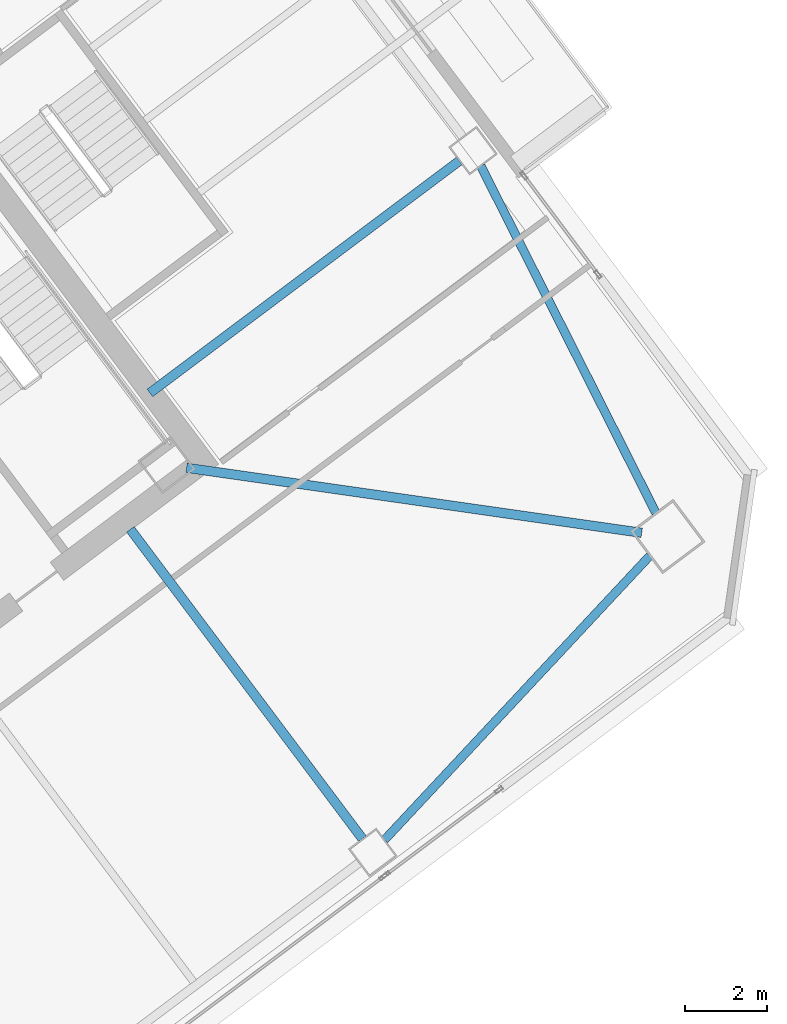
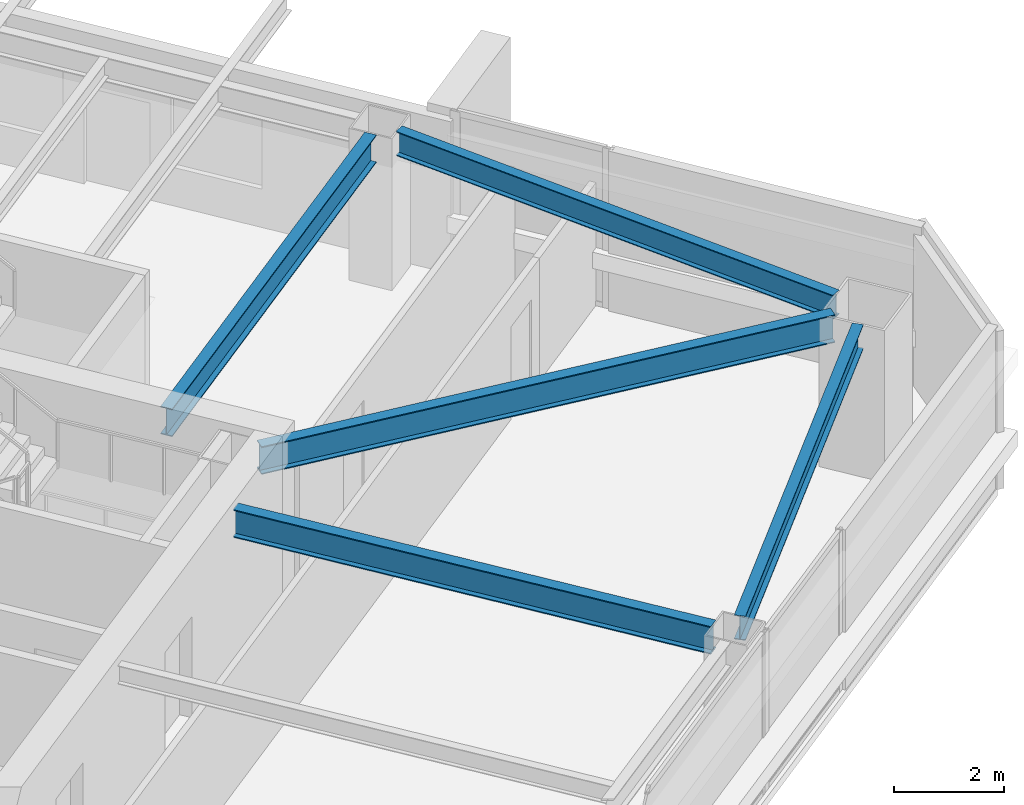
# One storey, part 23 of 41: 5 beams.
"""IFC4 building model written with IfcOpenShell, lengths in metres."""

from ifc_helpers import new_model, si_unit, direction, frame, origin, origin_2d, place, context, subcontext, project, spatial, i_section, extrude, material, material_profile, profile_set, type_object, element, save


model = new_model("IFC4")

# Units and contexts
model_context = context("Model", 3, precision=1e-05, world=origin(), true_north=direction((0.0, 1.0)))
body_context = subcontext(model_context, "Body", "Model", "MODEL_VIEW")
ifc_project = project(units=[si_unit("LENGTHUNIT", "METRE"), si_unit("AREAUNIT", "SQUARE_METRE"), si_unit("VOLUMEUNIT", "CUBIC_METRE"), si_unit("PLANEANGLEUNIT", "RADIAN"), si_unit("MASSUNIT", "GRAM", prefix="KILO")], contexts=[model_context])

# Site, building, storey
site_placement = place(None, origin())
site = spatial("IfcSite", under=ifc_project, at=site_placement, CompositionType="ELEMENT")
building_placement = place(site_placement, origin())
building = spatial("IfcBuilding", under=site, at=building_placement, Name="Tashvorn Skyway Center", CompositionType="ELEMENT")
storey_placement = place(building_placement, frame((0.0, 0.0, 146.35009765625)))
storey = spatial("IfcBuildingStorey", under=building, at=storey_placement, Name="L39", CompositionType="ELEMENT", Elevation=146.35009765625)

# Beams
ifc_material = material(Name="Steel ASTM A992 Grade 50", Category="steel")
ifc_material_profile_1 = material_profile(ifc_material, i_section(OverallWidth=0.22998046875, OverallDepth=0.616943359375, WebThickness=0.01318359375, FlangeThickness=0.022216796875, at=origin_2d()), Name="W24X94")
ifc_profile_set_1 = profile_set([ifc_material_profile_1], Name="Steel ASTM A992 Grade 50")
beam_type_1 = type_object("IfcBeamType", Name="BM-BEAM-W24X94", PredefinedType="BEAM", material=ifc_profile_set_1)
beam_1_placement = place(storey_placement, frame((135.4814453125, 28.93115234375, 3.0615234375), z_axis=(-0.989948189712, 0.141430483583, 0.0), x_axis=(-0.141430483583, -0.989948189712, 0.0)))
element("IfcBeam", 1, at=beam_1_placement, inside=storey, type_object=beam_type_1, Name="Tower 2 L39 Primary Floor Girder MC-SE", PredefinedType="BEAM", context=body_context, shape_type="SweptSolid", body=[
    extrude(i_section(OverallWidth=0.22998046875, OverallDepth=0.616943359375, WebThickness=0.01318359375, FlangeThickness=0.022216796875, at=origin_2d()), origin(), (0.0, 0.0, 1.0), 11.234375),
])
for number, where, z_axis, x_axis, name in (
    (2, (128.657958984375, 21.4560546875, 3.0615234375), (-0.599991732772, 0.800006200354, 0.0), (-0.800006200354, -0.599991732772, 0.0), "Tower 2 L39 Primary Floor Girder FC-S2"),
    (3, (131.02392578125, 38.01806640625, 3.0615234375), (-0.799984498661, -0.600020667896, 0.0), (0.600020667896, -0.799984498661, 0.0), "Tower 2 L39 Primary Floor Girder FC-E1"),
):
    element("IfcBeam", number, at=place(storey_placement, frame(where, z_axis=z_axis, x_axis=x_axis)), inside=storey, type_object=beam_type_1, Name=name, PredefinedType="BEAM", context=body_context, shape_type="SweptSolid", body=[
        extrude(i_section(OverallWidth=0.22998046875, OverallDepth=0.616943359375, WebThickness=0.01318359375, FlangeThickness=0.022216796875, at=origin_2d()), origin(), (0.0, 0.0, 1.0), 9.449951171875),
    ])
ifc_material_profile_2 = material_profile(ifc_material, i_section(OverallWidth=0.2109375, OverallDepth=0.5390625, WebThickness=0.01171875, FlangeThickness=0.018798828125, at=origin_2d()), Name="W21X73")
ifc_profile_set_2 = profile_set([ifc_material_profile_2], Name="Steel ASTM A992 Grade 50")
beam_type_2 = type_object("IfcBeamType", Name="BM-SPANDREL-W21X73", PredefinedType="SPANDREL", material=ifc_profile_set_2)
beam_2_placement = place(storey_placement, frame((129.19677734375, 21.427001953125, 3.100341796875), z_axis=(0.682545341102, 0.730843250868, 0.0), x_axis=(-0.730843250868, 0.682545341102, 0.0)))
element("IfcBeam", 4, at=beam_2_placement, inside=storey, type_object=beam_type_2, Name="Tower 2 L39 Spandrel Beam 03", PredefinedType="SPANDREL", context=body_context, shape_type="SweptSolid", body=[
    extrude(i_section(OverallWidth=0.2109375, OverallDepth=0.5390625, WebThickness=0.01171875, FlangeThickness=0.018798828125, at=origin_2d()), origin(), (0.0, 0.0, 1.0), 9.498046875),
])
beam_3_placement = place(storey_placement, frame((135.829345703125, 29.415771484375, 3.100341796875), z_axis=(-0.450613543136, 0.892719124217, 0.0), x_axis=(-0.892719124217, -0.450613543136, 0.0)))
element("IfcBeam", 5, at=beam_3_placement, inside=storey, type_object=beam_type_2, Name="Tower 2 L39 Spandrel Beam 04", PredefinedType="SPANDREL", context=body_context, shape_type="SweptSolid", body=[
    extrude(i_section(OverallWidth=0.2109375, OverallDepth=0.5390625, WebThickness=0.01171875, FlangeThickness=0.018798828125, at=origin_2d()), origin(), (0.0, 0.0, 1.0), 9.498291015625),
])

save(model, "model.ifc")
